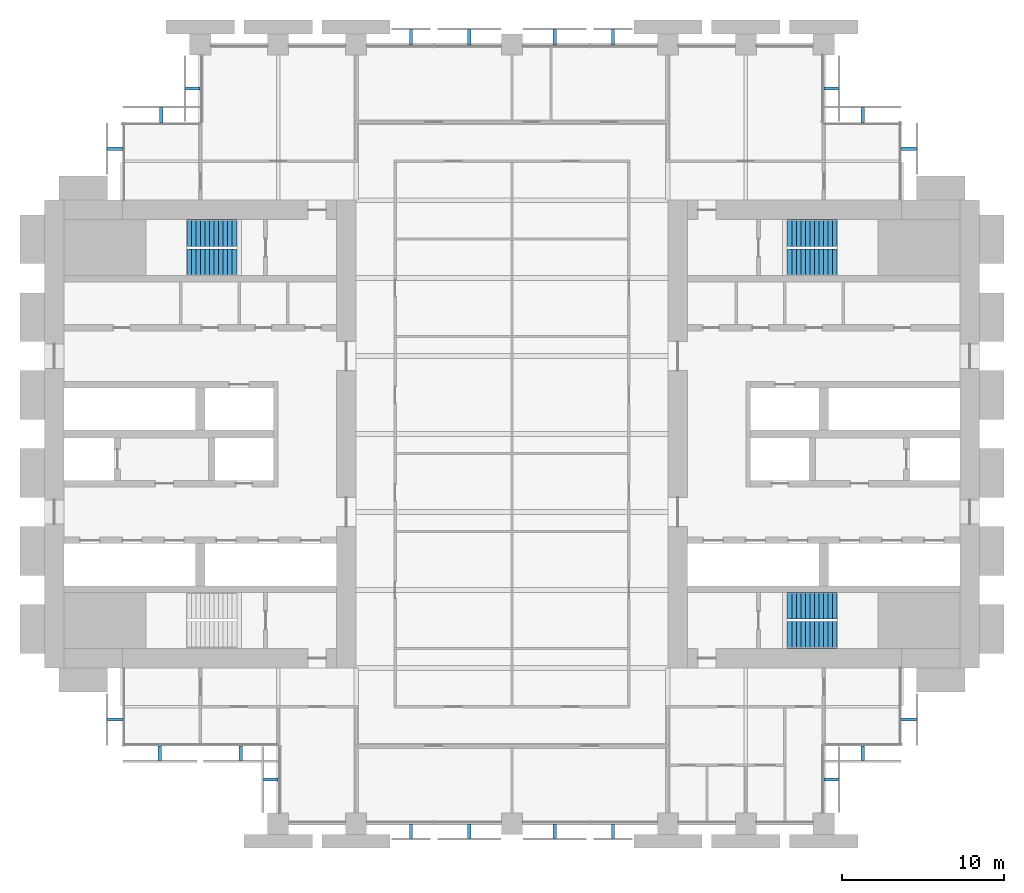
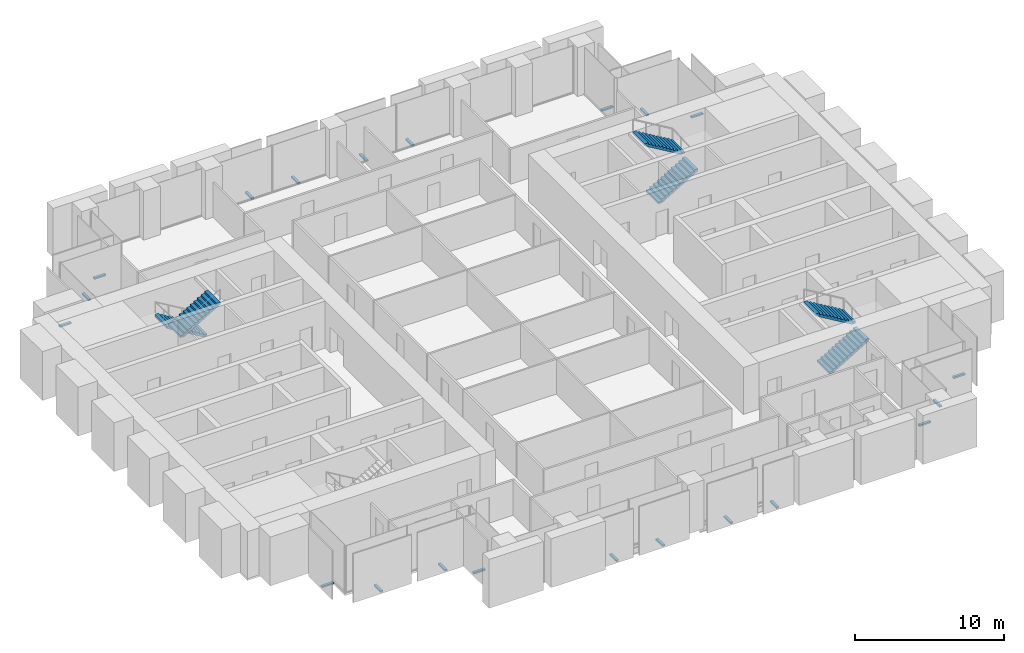
# One storey, part 13 of 14: 21 discrete accessories, 6 stair flights, 3 elements without a shape of their own.
"""IFC4 building model written with IfcOpenShell, lengths in metres."""

from ifc_helpers import new_model, si_unit, direction, frame, origin, origin_2d, place, context, subcontext, project, spatial, polyline, rectangle, outline, extrude, material, type_object, element, aggregate, save


model = new_model("IFC4")

# Units and contexts
model_context = context("Model", 3, precision=1e-05, world=origin(), true_north=direction((0.0, 1.0)))
body_context = subcontext(model_context, "Body", "Model", "MODEL_VIEW")
ifc_project = project(units=[si_unit("LENGTHUNIT", "METRE"), si_unit("AREAUNIT", "SQUARE_METRE"), si_unit("VOLUMEUNIT", "CUBIC_METRE"), si_unit("PLANEANGLEUNIT", "RADIAN"), si_unit("MASSUNIT", "GRAM", prefix="KILO")], contexts=[model_context])

# Site, building, storey
site_placement = place(None, origin())
site = spatial("IfcSite", under=ifc_project, at=site_placement, CompositionType="ELEMENT")
building_placement = place(site_placement, origin())
building = spatial("IfcBuilding", under=site, at=building_placement, Name="Baori Bourse Tower", CompositionType="ELEMENT")
storey_placement = place(building_placement, frame((0.0, 0.0, 55.0)))
storey = spatial("IfcBuildingStorey", under=building, at=storey_placement, Name="L11", CompositionType="ELEMENT", Elevation=55.0)

# Stair, stair flights
ifc_material_1 = material(Name="Concrete f'c 50 MPa", Category="concrete")
stair_type = type_object("IfcStairType", Name="Core stair", PredefinedType="HALF_TURN_STAIR", material=ifc_material_1)
stair_1_placement = place(storey_placement, origin())
stair_1 = element("IfcStair", 1, at=stair_1_placement, inside=storey, type_object=stair_type, Name="L11 Stair WB", PredefinedType="HALF_TURN_STAIR")
ifc_material_2 = material(Name="Concrete f'c 50 MPa", Category="concrete")
stair_flight_type = type_object("IfcStairFlightType", Name="Core stair flight", PredefinedType="STRAIGHT", material=ifc_material_2)
stair_flight_1_placement = place(storey_placement, frame((11.85009765625, 36.375, 0.0), z_axis=(0.0, 0.0, 1.0), x_axis=(-1.0, 0.0, 0.0)))
stair_flight_1 = element("IfcStairFlight", 2, at=stair_flight_1_placement, type_object=stair_flight_type, Name="ST2 flight 1", NumberOfRisers=12, NumberOfTreads=11, PredefinedType="STRAIGHT", RiserHeight=0.166666667, TreadLength=0.28, context=body_context, shape_type="SweptSolid", body=[
    extrude(outline(polyline([(0.0, 0.0), (0.0, 0.166748046875), (0.280029296875, 0.166748046875), (0.280029296875, 0.333251953125), (0.56005859375, 0.333251953125), (0.56005859375, 0.5), (0.840087890625, 0.5), (0.840087890625, 0.666748046875), (1.1201171875, 0.666748046875), (1.1201171875, 0.833251953125), (1.39990234375, 0.833251953125), (1.39990234375, 1.0), (1.679931640625, 1.0), (1.679931640625, 1.166748046875), (1.9599609375, 1.166748046875), (1.9599609375, 1.333251953125), (2.239990234375, 1.333251953125), (2.239990234375, 1.5), (2.52001953125, 1.5), (2.52001953125, 1.666748046875), (2.800048828125, 1.666748046875), (2.800048828125, 1.833251953125), (3.080078125, 1.833251953125), (3.080078125, 2.0), (3.080078125, 1.658935546875), (0.29296875, 0.0), (0.0, 0.0)])), frame((0.0, 0.824951171875, 0.0), z_axis=(0.0, -1.0, 0.0), x_axis=(1.0, 0.0, 0.0)), (0.0, 0.0, 1.0), 1.64990234375),
])
stair_flight_2_placement = place(storey_placement, frame((8.77001953125, 34.574951171875, 2.0), z_axis=(0.0, 0.0, 1.0), x_axis=(1.0, 0.0, 0.0)))
stair_flight_2 = element("IfcStairFlight", 3, at=stair_flight_2_placement, type_object=stair_flight_type, Name="ST2 flight 2", NumberOfRisers=12, NumberOfTreads=11, PredefinedType="STRAIGHT", RiserHeight=0.166666667, TreadLength=0.28, context=body_context, shape_type="SweptSolid", body=[
    extrude(outline(polyline([(0.0, 0.0), (0.0, 0.166748046875), (0.280029296875, 0.166748046875), (0.280029296875, 0.333251953125), (0.56005859375, 0.333251953125), (0.56005859375, 0.5), (0.840087890625, 0.5), (0.840087890625, 0.666748046875), (1.1201171875, 0.666748046875), (1.1201171875, 0.833251953125), (1.39990234375, 0.833251953125), (1.39990234375, 1.0), (1.679931640625, 1.0), (1.679931640625, 1.166748046875), (1.9599609375, 1.166748046875), (1.9599609375, 1.333251953125), (2.239990234375, 1.333251953125), (2.239990234375, 1.5), (2.52001953125, 1.5), (2.52001953125, 1.666748046875), (2.800048828125, 1.666748046875), (2.800048828125, 1.833251953125), (3.080078125, 1.833251953125), (3.080078125, 2.0), (3.080078125, 1.658935546875), (0.29296875, 0.0), (0.0, 0.0)])), frame((0.0, 0.824951171875, 0.0), z_axis=(0.0, -1.0, 0.0), x_axis=(1.0, 0.0, 0.0)), (0.0, 0.0, 1.0), 1.64990234375),
])
aggregate(stair_1, [stair_flight_1, stair_flight_2])

stair_2_placement = place(storey_placement, origin())
stair_2 = element("IfcStair", 4, at=stair_2_placement, inside=storey, type_object=stair_type, Name="L11 Stair EA", PredefinedType="HALF_TURN_STAIR")
stair_flight_3_placement = place(storey_placement, frame((45.75, 11.625, 0.0), z_axis=(0.0, 0.0, 1.0), x_axis=(1.0, 0.0, 0.0)))
stair_flight_3 = element("IfcStairFlight", 5, at=stair_flight_3_placement, type_object=stair_flight_type, Name="ST3 flight 1", NumberOfRisers=12, NumberOfTreads=11, PredefinedType="STRAIGHT", RiserHeight=0.166666667, TreadLength=0.28, context=body_context, shape_type="SweptSolid", body=[
    extrude(outline(polyline([(0.0, 0.0), (0.0, 0.166748046875), (0.280029296875, 0.166748046875), (0.280029296875, 0.333251953125), (0.56005859375, 0.333251953125), (0.56005859375, 0.5), (0.840087890625, 0.5), (0.840087890625, 0.666748046875), (1.1201171875, 0.666748046875), (1.1201171875, 0.833251953125), (1.39990234375, 0.833251953125), (1.39990234375, 1.0), (1.679931640625, 1.0), (1.679931640625, 1.166748046875), (1.9599609375, 1.166748046875), (1.9599609375, 1.333251953125), (2.239990234375, 1.333251953125), (2.239990234375, 1.5), (2.52001953125, 1.5), (2.52001953125, 1.666748046875), (2.800048828125, 1.666748046875), (2.800048828125, 1.833251953125), (3.080078125, 1.833251953125), (3.080078125, 2.0), (3.080078125, 1.658935546875), (0.29296875, 0.0), (0.0, 0.0)])), frame((0.0, 0.824951171875, 0.0), z_axis=(0.0, -1.0, 0.0), x_axis=(1.0, 0.0, 0.0)), (0.0, 0.0, 1.0), 1.64990234375),
])
stair_flight_4_placement = place(storey_placement, frame((48.830078125, 13.425048828125, 2.0), z_axis=(0.0, 0.0, 1.0), x_axis=(-1.0, 0.0, 0.0)))
stair_flight_4 = element("IfcStairFlight", 6, at=stair_flight_4_placement, type_object=stair_flight_type, Name="ST3 flight 2", NumberOfRisers=12, NumberOfTreads=11, PredefinedType="STRAIGHT", RiserHeight=0.166666667, TreadLength=0.28, context=body_context, shape_type="SweptSolid", body=[
    extrude(outline(polyline([(0.0, 0.0), (0.0, 0.166748046875), (0.280029296875, 0.166748046875), (0.280029296875, 0.333251953125), (0.56005859375, 0.333251953125), (0.56005859375, 0.5), (0.840087890625, 0.5), (0.840087890625, 0.666748046875), (1.1201171875, 0.666748046875), (1.1201171875, 0.833251953125), (1.39990234375, 0.833251953125), (1.39990234375, 1.0), (1.679931640625, 1.0), (1.679931640625, 1.166748046875), (1.9599609375, 1.166748046875), (1.9599609375, 1.333251953125), (2.239990234375, 1.333251953125), (2.239990234375, 1.5), (2.52001953125, 1.5), (2.52001953125, 1.666748046875), (2.800048828125, 1.666748046875), (2.800048828125, 1.833251953125), (3.080078125, 1.833251953125), (3.080078125, 2.0), (3.080078125, 1.658935546875), (0.29296875, 0.0), (0.0, 0.0)])), frame((0.0, 0.824951171875, 0.0), z_axis=(0.0, -1.0, 0.0), x_axis=(1.0, 0.0, 0.0)), (0.0, 0.0, 1.0), 1.64990234375),
])
aggregate(stair_2, [stair_flight_3, stair_flight_4])

stair_3_placement = place(storey_placement, origin())
stair_3 = element("IfcStair", 7, at=stair_3_placement, inside=storey, type_object=stair_type, Name="L11 Stair EB", PredefinedType="HALF_TURN_STAIR")
stair_flight_5_placement = place(storey_placement, frame((45.75, 34.574951171875, 0.0), z_axis=(0.0, 0.0, 1.0), x_axis=(1.0, 0.0, 0.0)))
stair_flight_5 = element("IfcStairFlight", 8, at=stair_flight_5_placement, type_object=stair_flight_type, Name="ST4 flight 1", NumberOfRisers=12, NumberOfTreads=11, PredefinedType="STRAIGHT", RiserHeight=0.166666667, TreadLength=0.28, context=body_context, shape_type="SweptSolid", body=[
    extrude(outline(polyline([(0.0, 0.0), (0.0, 0.166748046875), (0.280029296875, 0.166748046875), (0.280029296875, 0.333251953125), (0.56005859375, 0.333251953125), (0.56005859375, 0.5), (0.840087890625, 0.5), (0.840087890625, 0.666748046875), (1.1201171875, 0.666748046875), (1.1201171875, 0.833251953125), (1.39990234375, 0.833251953125), (1.39990234375, 1.0), (1.679931640625, 1.0), (1.679931640625, 1.166748046875), (1.9599609375, 1.166748046875), (1.9599609375, 1.333251953125), (2.239990234375, 1.333251953125), (2.239990234375, 1.5), (2.52001953125, 1.5), (2.52001953125, 1.666748046875), (2.800048828125, 1.666748046875), (2.800048828125, 1.833251953125), (3.080078125, 1.833251953125), (3.080078125, 2.0), (3.080078125, 1.658935546875), (0.29296875, 0.0), (0.0, 0.0)])), frame((0.0, 0.824951171875, 0.0), z_axis=(0.0, -1.0, 0.0), x_axis=(1.0, 0.0, 0.0)), (0.0, 0.0, 1.0), 1.64990234375),
])
stair_flight_6_placement = place(storey_placement, frame((48.830078125, 36.375, 2.0), z_axis=(0.0, 0.0, 1.0), x_axis=(-1.0, 0.0, 0.0)))
stair_flight_6 = element("IfcStairFlight", 9, at=stair_flight_6_placement, type_object=stair_flight_type, Name="ST4 flight 2", NumberOfRisers=12, NumberOfTreads=11, PredefinedType="STRAIGHT", RiserHeight=0.166666667, TreadLength=0.28, context=body_context, shape_type="SweptSolid", body=[
    extrude(outline(polyline([(0.0, 0.0), (0.0, 0.166748046875), (0.280029296875, 0.166748046875), (0.280029296875, 0.333251953125), (0.56005859375, 0.333251953125), (0.56005859375, 0.5), (0.840087890625, 0.5), (0.840087890625, 0.666748046875), (1.1201171875, 0.666748046875), (1.1201171875, 0.833251953125), (1.39990234375, 0.833251953125), (1.39990234375, 1.0), (1.679931640625, 1.0), (1.679931640625, 1.166748046875), (1.9599609375, 1.166748046875), (1.9599609375, 1.333251953125), (2.239990234375, 1.333251953125), (2.239990234375, 1.5), (2.52001953125, 1.5), (2.52001953125, 1.666748046875), (2.800048828125, 1.666748046875), (2.800048828125, 1.833251953125), (3.080078125, 1.833251953125), (3.080078125, 2.0), (3.080078125, 1.658935546875), (0.29296875, 0.0), (0.0, 0.0)])), frame((0.0, 0.824951171875, 0.0), z_axis=(0.0, -1.0, 0.0), x_axis=(1.0, 0.0, 0.0)), (0.0, 0.0, 1.0), 1.64990234375),
])
aggregate(stair_3, [stair_flight_5, stair_flight_6])

# Discrete accessories
ifc_material_3 = material(Name="Pale anodised aluminium", Category="aluminium")
discrete_accessory_type = type_object("IfcDiscreteAccessoryType", Name="OS2 Outer skin bracket", PredefinedType="BRACKET", material=ifc_material_3)
for number, where, z_axis, x_axis, name in (
    (10, (53.25, 41.574951171875, -0.14404296875), (0.0, 0.0, 1.0), (0.0, 1.0, 0.0), "Outer skin bracket L11 1"),
    (11, (50.39990234375, 43.64990234375, -0.14404296875), (0.0, 0.0, 1.0), (-1.0, 0.0, 0.0), "Outer skin bracket L11 2"),
    (12, (48.449951171875, 45.27490234375, -0.14404296875), (0.0, 0.0, 1.0), (0.0, 1.0, 0.0), "Outer skin bracket L11 3"),
    (13, (35.012451171875, 48.449951171875, -0.14404296875), (0.0, 0.0, 1.0), (-1.0, 0.0, 0.0), "Outer skin bracket L11 4"),
    (14, (31.4375, 48.449951171875, -0.14404296875), (0.0, 0.0, 1.0), (-1.0, 0.0, 0.0), "Outer skin bracket L11 5"),
    (15, (26.16259765625, 48.449951171875, -0.14404296875), (0.0, 0.0, 1.0), (-1.0, 0.0, 0.0), "Outer skin bracket L11 6"),
    (16, (22.58740234375, 48.449951171875, -0.14404296875), (0.0, 0.0, 1.0), (-1.0, 0.0, 0.0), "Outer skin bracket L11 7"),
    (17, (9.14990234375, 45.27490234375, -0.14404296875), (0.0, 0.0, 1.0), (0.0, -1.0, 0.0), "Outer skin bracket L11 8"),
    (18, (7.199951171875, 43.64990234375, -0.14404296875), (0.0, 0.0, 1.0), (-1.0, 0.0, 0.0), "Outer skin bracket L11 9"),
    (19, (4.35009765625, 41.574951171875, -0.14404296875), (0.0, 0.0, 1.0), (0.0, -1.0, 0.0), "Outer skin bracket L11 10"),
    (20, (4.35009765625, 6.425048828125, -0.14404296875), (0.0, 0.0, 1.0), (0.0, -1.0, 0.0), "Outer skin bracket L11 11"),
    (21, (7.112548828125, 4.35009765625, -0.14404296875), (0.0, 0.0, 1.0), (1.0, 0.0, 0.0), "Outer skin bracket L11 12"),
    (22, (12.08740234375, 4.35009765625, -0.14404296875), (0.0, 0.0, 1.0), (1.0, 0.0, 0.0), "Outer skin bracket L11 13"),
    (23, (13.949951171875, 2.72509765625, -0.14404296875), (0.0, 0.0, 1.0), (0.0, -1.0, 0.0), "Outer skin bracket L11 14"),
    (24, (22.58740234375, -0.449951171875, -0.14404296875), (0.0, 0.0, 1.0), (1.0, 0.0, 0.0), "Outer skin bracket L11 15"),
    (25, (26.16259765625, -0.449951171875, -0.14404296875), (0.0, 0.0, 1.0), (1.0, 0.0, 0.0), "Outer skin bracket L11 16"),
    (26, (31.4375, -0.449951171875, -0.14404296875), (0.0, 0.0, 1.0), (1.0, 0.0, 0.0), "Outer skin bracket L11 17"),
    (27, (35.012451171875, -0.449951171875, -0.14404296875), (0.0, 0.0, 1.0), (1.0, 0.0, 0.0), "Outer skin bracket L11 18"),
    (28, (48.449951171875, 2.72509765625, -0.14404296875), (0.0, 0.0, 1.0), (0.0, 1.0, 0.0), "Outer skin bracket L11 19"),
    (29, (50.39990234375, 4.35009765625, -0.14404296875), (0.0, 0.0, 1.0), (1.0, 0.0, 0.0), "Outer skin bracket L11 20"),
    (30, (53.25, 6.425048828125, -0.14404296875), (0.0, 0.0, 1.0), (0.0, 1.0, 0.0), "Outer skin bracket L11 21"),
):
    element("IfcDiscreteAccessory", number, at=place(storey_placement, frame(where, z_axis=z_axis, x_axis=x_axis)), inside=storey, type_object=discrete_accessory_type, Name=name, PredefinedType="BRACKET", context=body_context, shape_type="SweptSolid", body=[
        extrude(rectangle(XDim=0.199951171875, YDim=0.89990234375, at=origin_2d()), origin(), (0.0, 0.0, 1.0), 0.1279296875),
    ])

save(model, "model.ifc")
